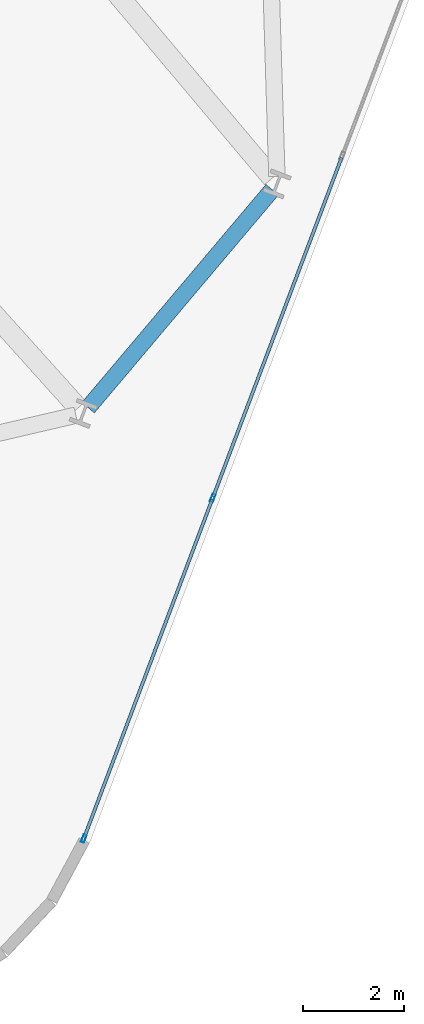
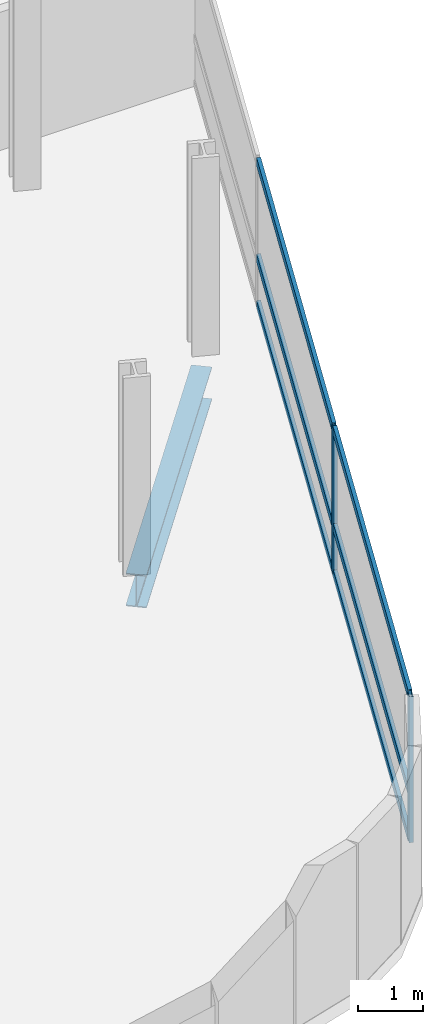
# One storey, part 10 of 26: 8 members, 1 beam, 1 element without a shape of its own.
"""IFC4 building model written with IfcOpenShell, lengths in metres."""

from ifc_helpers import new_model, si_unit, direction, frame, origin, origin_2d, place, context, subcontext, project, spatial, hollow_rectangle, i_section, extrude, material, layer, layer_set, material_profile, profile_set, type_object, element, aggregate, save


model = new_model("IFC4")

# Units and contexts
model_context = context("Model", 3, precision=1e-05, world=origin(), true_north=direction((0.0, 1.0)))
body_context = subcontext(model_context, "Body", "Model", "MODEL_VIEW")
ifc_project = project(units=[si_unit("LENGTHUNIT", "METRE"), si_unit("AREAUNIT", "SQUARE_METRE"), si_unit("VOLUMEUNIT", "CUBIC_METRE"), si_unit("PLANEANGLEUNIT", "RADIAN"), si_unit("MASSUNIT", "GRAM", prefix="KILO")], contexts=[model_context])

# Site, building, storey
site_placement = place(None, origin())
site = spatial("IfcSite", under=ifc_project, at=site_placement, CompositionType="ELEMENT")
building_placement = place(site_placement, origin())
building = spatial("IfcBuilding", under=site, at=building_placement, Name="Varnelok Gate Tower", CompositionType="ELEMENT")
storey_placement = place(building_placement, frame((0.0, 0.0, 109.5)))
storey = spatial("IfcBuildingStorey", under=building, at=storey_placement, Name="L27", CompositionType="ELEMENT", Elevation=109.5)

# Beam
ifc_material_1 = material(Name="Structural Steel ASTM A992 Grade 50", Category="steel")
ifc_material_profile_1 = material_profile(ifc_material_1, i_section(OverallWidth=0.323974609375, OverallDepth=0.611083984375, WebThickness=0.0126953125, FlangeThickness=0.01904296875, FilletRadius=0.01806640625, at=origin_2d()), Name="W24X104")
ifc_profile_set_1 = profile_set([ifc_material_profile_1], Name="Structural Steel ASTM A992 Grade 50")
beam_type = type_object("IfcBeamType", Name="BM-SPN-W24X104", PredefinedType="SPANDREL", material=ifc_profile_set_1)
beam_placement = place(storey_placement, frame((67.7333984375, 3.7421875, -0.555419921875), z_axis=(0.645380340265, 0.763861385592, 0.0), x_axis=(-0.763861385592, 0.645380340265, 0.0)))
element("IfcBeam", 1, at=beam_placement, inside=storey, type_object=beam_type, Name="L27 Perimeter Spandrel Beam 6", PredefinedType="SPANDREL", context=body_context, shape_type="SweptSolid", body=[
    extrude(i_section(OverallWidth=0.323974609375, OverallDepth=0.611083984375, WebThickness=0.0126953125, FlangeThickness=0.01904296875, FilletRadius=0.01806640625, at=origin_2d()), origin(), (0.0, 0.0, 1.0), 5.650146484375),
])

# Curtain wall, members
ifc_material_2 = material(Name="Anodized Aluminum Alloy 6063-T6", Category="aluminium")
ifc_layer = layer(ifc_material_2, 0.179931640625)
ifc_layer_set = layer_set([ifc_layer], Name="Anodized Aluminum Alloy 6063-T6")
curtain_wall_type = type_object("IfcCurtainWallType", Name="CW3-HOTEL-VISION", PredefinedType="USERDEFINED", material=ifc_layer_set)
curtain_wall_placement = place(storey_placement, origin())
curtain_wall = element("IfcCurtainWall", 2, at=curtain_wall_placement, inside=storey, type_object=curtain_wall_type, Name="L27 East End Vision Curtain Wall", ObjectType="UNITISED CURTAIN WALL", PredefinedType="USERDEFINED")
ifc_material_profile_2 = material_profile(ifc_material_2, hollow_rectangle(XDim=0.06494140625, YDim=0.159912109375, WallThickness=0.00390625, at=origin_2d()), Name="ALU160X65X4")
ifc_profile_set_2 = profile_set([ifc_material_profile_2], Name="Anodized Aluminum Alloy 6063-T6")
member_type_1 = type_object("IfcMemberType", Name="CW-MULL-160", PredefinedType="MULLION", material=ifc_profile_set_2)
member_1_placement = place(storey_placement, frame((70.201171875, 1.951171875, 0.0), z_axis=(0.0, 0.0, 1.0), x_axis=(0.935221323688, -0.354063660545, 0.0)))
member_1 = element("IfcMember", 3, at=member_1_placement, type_object=member_type_1, Name="CW3 mullion 5", PredefinedType="MULLION", context=body_context, shape_type="SweptSolid", body=[
    extrude(hollow_rectangle(XDim=0.06494140625, YDim=0.159912109375, WallThickness=0.00390625, at=origin_2d()), origin(), (0.0, 0.0, 1.0), 2.72998046875),
])
member_2_placement = place(storey_placement, frame((67.6494140625, -4.78955078125, 0.0), z_axis=(0.0, 0.0, 1.0), x_axis=(0.935221323688, -0.354063660545, 0.0)))
member_2 = element("IfcMember", 4, at=member_2_placement, type_object=member_type_1, Name="CW3 mullion 6", PredefinedType="MULLION", context=body_context, shape_type="SweptSolid", body=[
    extrude(hollow_rectangle(XDim=0.06494140625, YDim=0.159912109375, WallThickness=0.00390625, at=origin_2d()), origin(), (0.0, 0.0, 1.0), 2.72998046875),
])
ifc_material_profile_3 = material_profile(ifc_material_2, hollow_rectangle(XDim=0.06494140625, YDim=0.159912109375, WallThickness=0.00390625, at=origin_2d()), Name="ALU160X65X4")
ifc_profile_set_3 = profile_set([ifc_material_profile_3], Name="Anodized Aluminum Alloy 6063-T6")
member_type_2 = type_object("IfcMemberType", Name="CW-TRAN-160", PredefinedType="USERDEFINED", material=ifc_profile_set_3)
member_3_placement = place(storey_placement, frame((72.753173828125, 8.691650390625, 0.032470703125), z_axis=(-0.354078724634, -0.935215620465, 0.0), x_axis=(0.935215620465, -0.354078724634, 0.0)))
member_3 = element("IfcMember", 5, at=member_3_placement, type_object=member_type_2, Name="CW3 transom 4.1", ObjectType="TRANSOM", PredefinedType="USERDEFINED", context=body_context, shape_type="SweptSolid", body=[
    extrude(hollow_rectangle(XDim=0.06494140625, YDim=0.159912109375, WallThickness=0.00390625, at=origin_2d()), origin(), (0.0, 0.0, 1.0), 7.175048828125),
])
member_4_placement = place(storey_placement, frame((72.753173828125, 8.691650390625, 0.89990234375), z_axis=(-0.354078724634, -0.935215620465, 0.0), x_axis=(0.935215620465, -0.354078724634, 0.0)))
member_4 = element("IfcMember", 6, at=member_4_placement, type_object=member_type_2, Name="CW3 transom 4.2", ObjectType="TRANSOM", PredefinedType="USERDEFINED", context=body_context, shape_type="SweptSolid", body=[
    extrude(hollow_rectangle(XDim=0.06494140625, YDim=0.159912109375, WallThickness=0.00390625, at=origin_2d()), origin(), (0.0, 0.0, 1.0), 7.175048828125),
])
member_5_placement = place(storey_placement, frame((72.753173828125, 8.691650390625, 2.697509765625), z_axis=(-0.354078724634, -0.935215620465, 0.0), x_axis=(0.935215620465, -0.354078724634, 0.0)))
member_5 = element("IfcMember", 7, at=member_5_placement, type_object=member_type_2, Name="CW3 transom 4.3", ObjectType="TRANSOM", PredefinedType="USERDEFINED", context=body_context, shape_type="SweptSolid", body=[
    extrude(hollow_rectangle(XDim=0.06494140625, YDim=0.159912109375, WallThickness=0.00390625, at=origin_2d()), origin(), (0.0, 0.0, 1.0), 7.175048828125),
])
member_6_placement = place(storey_placement, frame((70.189697265625, 1.920654296875, 0.032470703125), z_axis=(-0.354058568643, -0.935223251406, 0.0), x_axis=(0.935223251406, -0.354058568643, 0.0)))
member_6 = element("IfcMember", 8, at=member_6_placement, type_object=member_type_2, Name="CW3 transom 5.1", ObjectType="TRANSOM", PredefinedType="USERDEFINED", context=body_context, shape_type="SweptSolid", body=[
    extrude(hollow_rectangle(XDim=0.06494140625, YDim=0.159912109375, WallThickness=0.00390625, at=origin_2d()), origin(), (0.0, 0.0, 1.0), 7.142333984375),
])
member_7_placement = place(storey_placement, frame((70.189697265625, 1.920654296875, 0.89990234375), z_axis=(-0.354058568643, -0.935223251406, 0.0), x_axis=(0.935223251406, -0.354058568643, 0.0)))
member_7 = element("IfcMember", 9, at=member_7_placement, type_object=member_type_2, Name="CW3 transom 5.2", ObjectType="TRANSOM", PredefinedType="USERDEFINED", context=body_context, shape_type="SweptSolid", body=[
    extrude(hollow_rectangle(XDim=0.06494140625, YDim=0.159912109375, WallThickness=0.00390625, at=origin_2d()), origin(), (0.0, 0.0, 1.0), 7.142333984375),
])
member_8_placement = place(storey_placement, frame((70.189697265625, 1.920654296875, 2.697509765625), z_axis=(-0.354058568643, -0.935223251406, 0.0), x_axis=(0.935223251406, -0.354058568643, 0.0)))
member_8 = element("IfcMember", 10, at=member_8_placement, type_object=member_type_2, Name="CW3 transom 5.3", ObjectType="TRANSOM", PredefinedType="USERDEFINED", context=body_context, shape_type="SweptSolid", body=[
    extrude(hollow_rectangle(XDim=0.06494140625, YDim=0.159912109375, WallThickness=0.00390625, at=origin_2d()), origin(), (0.0, 0.0, 1.0), 7.142333984375),
])
aggregate(curtain_wall, [member_1, member_2, member_3, member_4, member_5, member_6, member_7, member_8])

save(model, "model.ifc")
